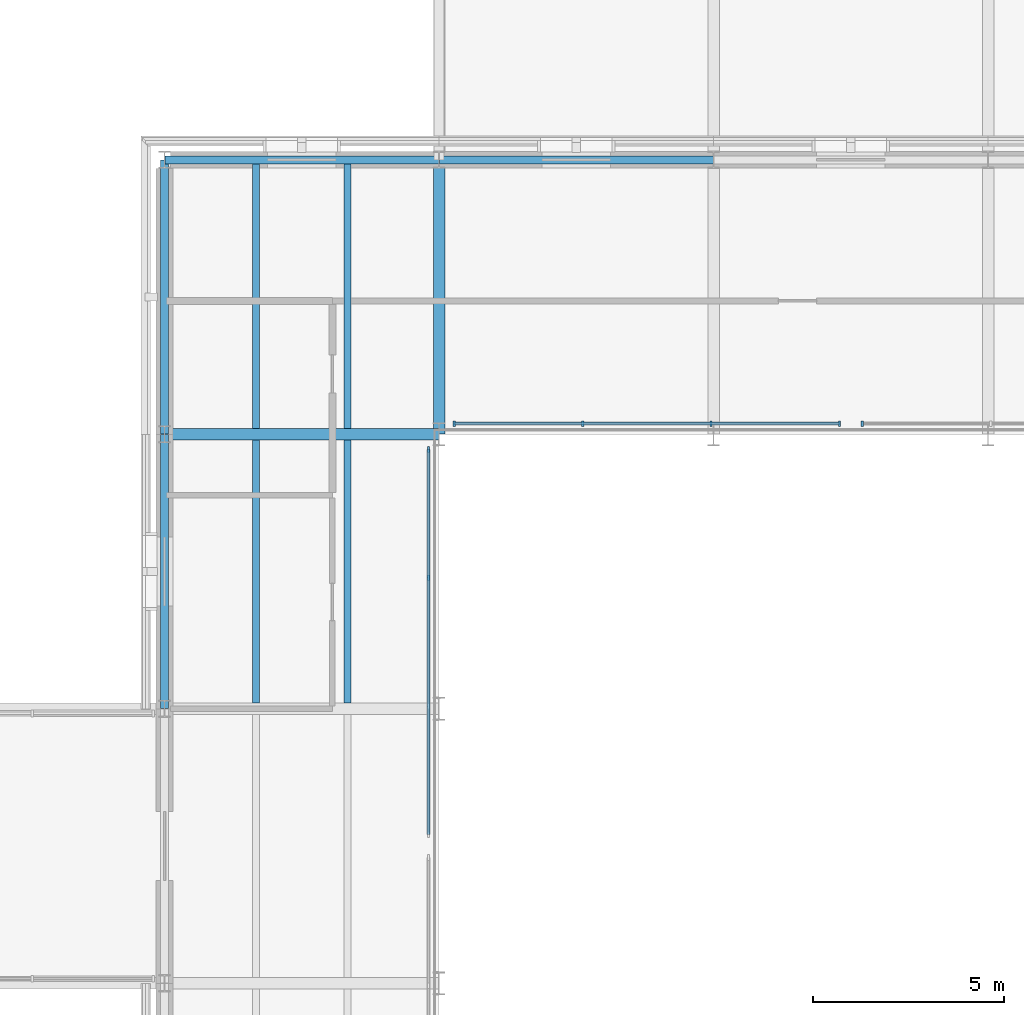
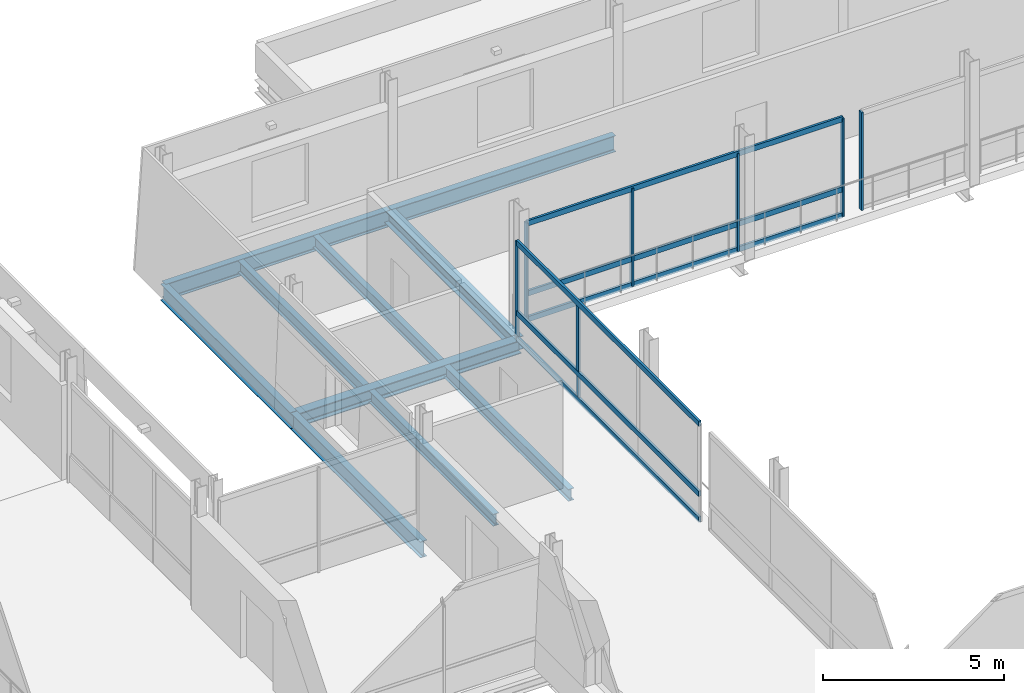
# One storey, part 30 of 115: 13 members, 10 beams, 3 elements without a shape of their own.
"""IFC4 building model written with IfcOpenShell, lengths in metres."""

from ifc_helpers import new_model, si_unit, direction, frame, origin, origin_2d, place, context, subcontext, project, spatial, rectangle, i_section, extrude, material, layer, layer_set, material_profile, profile_set, type_object, element, aggregate, save


model = new_model("IFC4")

# Units and contexts
model_context = context("Model", 3, precision=1e-05, world=origin(), true_north=direction((0.0, 1.0)))
body_context = subcontext(model_context, "Body", "Model", "MODEL_VIEW")
ifc_project = project(units=[si_unit("LENGTHUNIT", "METRE"), si_unit("AREAUNIT", "SQUARE_METRE"), si_unit("VOLUMEUNIT", "CUBIC_METRE"), si_unit("PLANEANGLEUNIT", "RADIAN"), si_unit("MASSUNIT", "GRAM", prefix="KILO")], contexts=[model_context])

# Site, building, storey
site_placement = place(None, origin())
site = spatial("IfcSite", under=ifc_project, at=site_placement, CompositionType="ELEMENT")
building_placement = place(site_placement, origin())
building = spatial("IfcBuilding", under=site, at=building_placement, Name="Narikvali Park Central Library", CompositionType="ELEMENT")
storey_placement = place(building_placement, frame((0.0, 0.0, 10.199951171875)))
storey = spatial("IfcBuildingStorey", under=building, at=storey_placement, Name="L02", CompositionType="ELEMENT", Elevation=10.199951171875)

# Beam
ifc_material_1 = material(Name="Steel S355", Category="steel")
ifc_material_profile_1 = material_profile(ifc_material_1, i_section(OverallWidth=0.300048828125, OverallDepth=0.449951171875, WebThickness=0.013916015625, FlangeThickness=0.02587890625, FilletRadius=0.027099609375, at=origin_2d()), Name="HEB 450")
ifc_profile_set_1 = profile_set([ifc_material_profile_1], Name="Steel S355")
beam_type_1 = type_object("IfcBeamType", Name="Atrium Edge Girder HEB450", PredefinedType="BEAM", material=ifc_profile_set_1)
beam_1_placement = place(storey_placement, frame((64.80810546875, 86.39990234375, -0.5048828125), z_axis=(1.0, 0.0, 0.0), x_axis=(0.0, 1.0, 0.0)))
element("IfcBeam", 1, at=beam_1_placement, inside=storey, type_object=beam_type_1, Name="V1 L02 Girder X", PredefinedType="BEAM", context=body_context, shape_type="SweptSolid", body=[
    extrude(i_section(OverallWidth=0.300048828125, OverallDepth=0.449951171875, WebThickness=0.013916015625, FlangeThickness=0.02587890625, FilletRadius=0.027099609375, at=origin_2d()), origin(), (0.0, 0.0, 1.0), 7.183837890625),
])

# Curtain wall, members
ifc_material_2 = material(Name="Anodised Bronze Aluminium", Category="aluminium")
ifc_layer = layer(ifc_material_2, 0.219970703125, Name="Anodised Bronze Aluminium")
ifc_layer_set = layer_set([ifc_layer], Name="Anodised Bronze Aluminium")
curtain_wall_type = type_object("IfcCurtainWallType", Name="Atrium Tall Curtain Wall System", PredefinedType="NOTDEFINED", material=ifc_layer_set)
curtain_wall_1_placement = place(storey_placement, origin())
curtain_wall_1 = element("IfcCurtainWall", 2, at=curtain_wall_1_placement, inside=storey, type_object=curtain_wall_type, Name="Atrium Tall Curtain Wall System CW-INT-V1-L02-W2", PredefinedType="NOTDEFINED")
ifc_material_profile_2 = material_profile(ifc_material_2, rectangle(XDim=0.074951171875, YDim=0.179931640625, at=origin_2d()), Name="CW TRANSOM 75x180")
ifc_profile_set_2 = profile_set([ifc_material_profile_2], Name="Anodised Bronze Aluminium")
member_type_1 = type_object("IfcMemberType", Name="Curtain Wall Heavy Transom 75x180", PredefinedType="USERDEFINED", material=ifc_profile_set_2)
member_1_placement = place(storey_placement, frame((71.719970703125, 75.89990234375, 0.030029296875), z_axis=(0.0, 1.0, 0.0), x_axis=(-1.0, 0.0, 0.0)))
member_1 = element("IfcMember", 3, at=member_1_placement, type_object=member_type_1, Name="CW-INT-V1-L02-W2 Transom 00", ObjectType="TRANSOM", PredefinedType="USERDEFINED", context=body_context, shape_type="SweptSolid", body=[
    extrude(rectangle(XDim=0.074951171875, YDim=0.179931640625, at=origin_2d()), origin(), (0.0, 0.0, 1.0), 10.10009765625),
])
member_2_placement = place(storey_placement, frame((71.719970703125, 75.89990234375, 0.900146484375), z_axis=(0.0, 1.0, 0.0), x_axis=(-1.0, 0.0, 0.0)))
member_2 = element("IfcMember", 4, at=member_2_placement, type_object=member_type_1, Name="CW-INT-V1-L02-W2 Transom 01", ObjectType="TRANSOM", PredefinedType="USERDEFINED", context=body_context, shape_type="SweptSolid", body=[
    extrude(rectangle(XDim=0.074951171875, YDim=0.179931640625, at=origin_2d()), origin(), (0.0, 0.0, 1.0), 10.10009765625),
])
member_3_placement = place(storey_placement, frame((71.719970703125, 75.89990234375, 3.27001953125), z_axis=(0.0, 1.0, 0.0), x_axis=(-1.0, 0.0, 0.0)))
member_3 = element("IfcMember", 5, at=member_3_placement, type_object=member_type_1, Name="CW-INT-V1-L02-W2 Transom 02", ObjectType="TRANSOM", PredefinedType="USERDEFINED", context=body_context, shape_type="SweptSolid", body=[
    extrude(rectangle(XDim=0.074951171875, YDim=0.179931640625, at=origin_2d()), origin(), (0.0, 0.0, 1.0), 10.10009765625),
])

curtain_wall_2_placement = place(storey_placement, origin())
curtain_wall_2 = element("IfcCurtainWall", 6, at=curtain_wall_2_placement, inside=storey, type_object=curtain_wall_type, Name="Atrium Tall Curtain Wall System CW-INT-V1-L02-N1", PredefinedType="NOTDEFINED")
member_4_placement = place(storey_placement, frame((72.39990234375, 86.679931640625, 0.030029296875), z_axis=(1.0, 0.0, 0.0), x_axis=(0.0, 1.0, 0.0)))
member_4 = element("IfcMember", 7, at=member_4_placement, type_object=member_type_1, Name="CW-INT-V1-L02-N1 Transom 00", ObjectType="TRANSOM", PredefinedType="USERDEFINED", context=body_context, shape_type="SweptSolid", body=[
    extrude(rectangle(XDim=0.074951171875, YDim=0.179931640625, at=origin_2d()), origin(), (0.0, 0.0, 1.0), 10.10009765625),
])
member_5_placement = place(storey_placement, frame((72.39990234375, 86.679931640625, 0.900146484375), z_axis=(1.0, 0.0, 0.0), x_axis=(0.0, 1.0, 0.0)))
member_5 = element("IfcMember", 8, at=member_5_placement, type_object=member_type_1, Name="CW-INT-V1-L02-N1 Transom 01", ObjectType="TRANSOM", PredefinedType="USERDEFINED", context=body_context, shape_type="SweptSolid", body=[
    extrude(rectangle(XDim=0.074951171875, YDim=0.179931640625, at=origin_2d()), origin(), (0.0, 0.0, 1.0), 10.10009765625),
])
member_6_placement = place(storey_placement, frame((72.39990234375, 86.679931640625, 3.27001953125), z_axis=(1.0, 0.0, 0.0), x_axis=(0.0, 1.0, 0.0)))
member_6 = element("IfcMember", 9, at=member_6_placement, type_object=member_type_1, Name="CW-INT-V1-L02-N1 Transom 02", ObjectType="TRANSOM", PredefinedType="USERDEFINED", context=body_context, shape_type="SweptSolid", body=[
    extrude(rectangle(XDim=0.074951171875, YDim=0.179931640625, at=origin_2d()), origin(), (0.0, 0.0, 1.0), 10.10009765625),
])

# Member
ifc_material_profile_3 = material_profile(ifc_material_2, rectangle(XDim=0.06005859375, YDim=0.14990234375, at=origin_2d()), Name="CW MULLION 60x150")
ifc_profile_set_3 = profile_set([ifc_material_profile_3], Name="Anodised Bronze Aluminium")
member_type_2 = type_object("IfcMemberType", Name="Curtain Wall Mullion 60x150", PredefinedType="MULLION", material=ifc_profile_set_3)
member_7_placement = place(storey_placement, frame((71.719970703125, 82.63330078125, -0.010009765625), z_axis=(0.0, 0.0, 1.0), x_axis=(1.0, 0.0, 0.0)))
member_7 = element("IfcMember", 10, at=member_7_placement, type_object=member_type_2, Name="CW-INT-V1-L02-W2 Mullion 02", PredefinedType="MULLION", context=body_context, shape_type="SweptSolid", body=[
    extrude(rectangle(XDim=0.06005859375, YDim=0.14990234375, at=origin_2d()), origin(), (0.0, 0.0, 1.0), 3.31005859375),
])

member_8_placement = place(storey_placement, frame((71.719970703125, 86.0, -0.010009765625), z_axis=(0.0, 0.0, 1.0), x_axis=(1.0, 0.0, 0.0)))
member_8 = element("IfcMember", 11, at=member_8_placement, type_object=member_type_2, Name="CW-INT-V1-L02-W2 Mullion 03", PredefinedType="MULLION", context=body_context, shape_type="SweptSolid", body=[
    extrude(rectangle(XDim=0.06005859375, YDim=0.14990234375, at=origin_2d()), origin(), (0.0, 0.0, 1.0), 3.31005859375),
])

aggregate(curtain_wall_1, [member_7, member_8, member_1, member_2, member_3])

member_9_placement = place(storey_placement, frame((72.39990234375, 86.679931640625, -0.010009765625), z_axis=(0.0, 0.0, 1.0), x_axis=(1.0, 0.0, 0.0)))
member_9 = element("IfcMember", 12, at=member_9_placement, type_object=member_type_2, Name="CW-INT-V1-L02-N1 Mullion 00", PredefinedType="MULLION", context=body_context, shape_type="SweptSolid", body=[
    extrude(rectangle(XDim=0.06005859375, YDim=0.14990234375, at=origin_2d()), origin(), (0.0, 0.0, 1.0), 3.31005859375),
])

member_10_placement = place(storey_placement, frame((75.7666015625, 86.679931640625, -0.010009765625), z_axis=(0.0, 0.0, 1.0), x_axis=(1.0, 0.0, 0.0)))
member_10 = element("IfcMember", 13, at=member_10_placement, type_object=member_type_2, Name="CW-INT-V1-L02-N1 Mullion 01", PredefinedType="MULLION", context=body_context, shape_type="SweptSolid", body=[
    extrude(rectangle(XDim=0.06005859375, YDim=0.14990234375, at=origin_2d()), origin(), (0.0, 0.0, 1.0), 3.31005859375),
])

member_11_placement = place(storey_placement, frame((79.13330078125, 86.679931640625, -0.010009765625), z_axis=(0.0, 0.0, 1.0), x_axis=(1.0, 0.0, 0.0)))
member_11 = element("IfcMember", 14, at=member_11_placement, type_object=member_type_2, Name="CW-INT-V1-L02-N1 Mullion 02", PredefinedType="MULLION", context=body_context, shape_type="SweptSolid", body=[
    extrude(rectangle(XDim=0.06005859375, YDim=0.14990234375, at=origin_2d()), origin(), (0.0, 0.0, 1.0), 3.31005859375),
])

member_12_placement = place(storey_placement, frame((82.5, 86.679931640625, -0.010009765625), z_axis=(0.0, 0.0, 1.0), x_axis=(1.0, 0.0, 0.0)))
member_12 = element("IfcMember", 15, at=member_12_placement, type_object=member_type_2, Name="CW-INT-V1-L02-N1 Mullion 03", PredefinedType="MULLION", context=body_context, shape_type="SweptSolid", body=[
    extrude(rectangle(XDim=0.06005859375, YDim=0.14990234375, at=origin_2d()), origin(), (0.0, 0.0, 1.0), 3.31005859375),
])

aggregate(curtain_wall_2, [member_9, member_10, member_11, member_12, member_4, member_5, member_6])

# Curtain wall, member
curtain_wall_3_placement = place(storey_placement, origin())
curtain_wall_3 = element("IfcCurtainWall", 16, at=curtain_wall_3_placement, inside=storey, type_object=curtain_wall_type, Name="Atrium Tall Curtain Wall System CW-INT-V1-L02-N2", PredefinedType="NOTDEFINED")
member_13_placement = place(storey_placement, frame((83.10009765625, 86.679931640625, -0.010009765625), z_axis=(0.0, 0.0, 1.0), x_axis=(1.0, 0.0, 0.0)))
member_13 = element("IfcMember", 17, at=member_13_placement, type_object=member_type_2, Name="CW-INT-V1-L02-N2 Mullion 00", PredefinedType="MULLION", context=body_context, shape_type="SweptSolid", body=[
    extrude(rectangle(XDim=0.06005859375, YDim=0.14990234375, at=origin_2d()), origin(), (0.0, 0.0, 1.0), 3.31005859375),
])
aggregate(curtain_wall_3, [member_13])

# Beams
ifc_material_profile_4 = material_profile(ifc_material_1, i_section(OverallWidth=0.181884765625, OverallDepth=0.404052734375, WebThickness=0.009765625, FlangeThickness=0.015380859375, FilletRadius=0.02099609375, at=origin_2d()), Name="IPEO 400")
ifc_profile_set_4 = profile_set([ifc_material_profile_4], Name="Steel S355")
beam_type_2 = type_object("IfcBeamType", Name="Gallery Floor Joist IPEO400", PredefinedType="JOIST", material=ifc_profile_set_4)
for number, where, z_axis, x_axis, name in (
    (18, (67.199951171875, 79.35009765625, -0.48193359375), (0.0, 1.0, 0.0), (-1.0, 0.0, 0.0), "V1 L02 Composite Joist 1"),
    (19, (69.60009765625, 79.35009765625, -0.48193359375), (0.0, 1.0, 0.0), (-1.0, 0.0, 0.0), "V1 L02 Composite Joist 2"),
):
    element("IfcBeam", number, at=place(storey_placement, frame(where, z_axis=z_axis, x_axis=x_axis)), inside=storey, type_object=beam_type_2, Name=name, PredefinedType="JOIST", context=body_context, shape_type="SweptSolid", body=[
        extrude(i_section(OverallWidth=0.181884765625, OverallDepth=0.404052734375, WebThickness=0.009765625, FlangeThickness=0.015380859375, FilletRadius=0.02099609375, at=origin_2d()), origin(), (0.0, 0.0, 1.0), 6.89990234375),
    ])
for number, where, z_axis, x_axis, name in (
    (20, (67.199951171875, 86.550048828125, -0.48193359375), (0.0, 1.0, 0.0), (-1.0, 0.0, 0.0), "V1 L02 Composite Joist 1"),
    (21, (69.60009765625, 86.550048828125, -0.48193359375), (0.0, 1.0, 0.0), (-1.0, 0.0, 0.0), "V1 L02 Composite Joist 2"),
):
    element("IfcBeam", number, at=place(storey_placement, frame(where, z_axis=z_axis, x_axis=x_axis)), inside=storey, type_object=beam_type_2, Name=name, PredefinedType="JOIST", context=body_context, shape_type="SweptSolid", body=[
        extrude(i_section(OverallWidth=0.181884765625, OverallDepth=0.404052734375, WebThickness=0.009765625, FlangeThickness=0.015380859375, FilletRadius=0.02099609375, at=origin_2d()), origin(), (0.0, 0.0, 1.0), 6.945068359375),
    ])
ifc_material_profile_5 = material_profile(ifc_material_1, i_section(OverallWidth=0.2099609375, OverallDepth=0.550048828125, WebThickness=0.010986328125, FlangeThickness=0.01708984375, FilletRadius=0.02392578125, at=origin_2d()), Name="IPE 550")
ifc_profile_set_5 = profile_set([ifc_material_profile_5], Name="Steel S355")
beam_type_3 = type_object("IfcBeamType", Name="Perimeter Spandrel IPE550", PredefinedType="SPANDREL", material=ifc_profile_set_5)
for number, where, z_axis, x_axis, name in (
    (22, (64.80810546875, 93.60009765625, -0.554931640625), (1.0, 0.0, 0.0), (0.0, 1.0, 0.0), "V1 L02 Girder X"),
    (23, (72.008056640625, 93.60009765625, -0.554931640625), (1.0, 0.0, 0.0), (0.0, 1.0, 0.0), "V1 L02 Girder X"),
):
    element("IfcBeam", number, at=place(storey_placement, frame(where, z_axis=z_axis, x_axis=x_axis)), inside=storey, type_object=beam_type_3, Name=name, PredefinedType="SPANDREL", context=body_context, shape_type="SweptSolid", body=[
        extrude(i_section(OverallWidth=0.2099609375, OverallDepth=0.550048828125, WebThickness=0.010986328125, FlangeThickness=0.01708984375, FilletRadius=0.02392578125, at=origin_2d()), origin(), (0.0, 0.0, 1.0), 7.183837890625),
    ])
for number, where, z_axis, x_axis, name in (
    (24, (64.800048828125, 79.2080078125, -0.554931640625), (0.0, 1.0, 0.0), (-1.0, 0.0, 0.0), "V1 L02 Girder Y"),
    (25, (64.800048828125, 86.407958984375, -0.554931640625), (0.0, 1.0, 0.0), (-1.0, 0.0, 0.0), "V1 L02 Girder Y"),
):
    element("IfcBeam", number, at=place(storey_placement, frame(where, z_axis=z_axis, x_axis=x_axis)), inside=storey, type_object=beam_type_3, Name=name, PredefinedType="SPANDREL", context=body_context, shape_type="SweptSolid", body=[
        extrude(i_section(OverallWidth=0.2099609375, OverallDepth=0.550048828125, WebThickness=0.010986328125, FlangeThickness=0.01708984375, FilletRadius=0.02392578125, at=origin_2d()), origin(), (0.0, 0.0, 1.0), 7.18408203125),
    ])
ifc_material_profile_6 = material_profile(ifc_material_1, i_section(OverallWidth=0.300048828125, OverallDepth=0.43994140625, WebThickness=0.011474609375, FlangeThickness=0.02099609375, FilletRadius=0.027099609375, at=origin_2d()), Name="HEA 450")
ifc_profile_set_6 = profile_set([ifc_material_profile_6], Name="Steel S355")
beam_type_4 = type_object("IfcBeamType", Name="Primary Girder HEA450", PredefinedType="BEAM", material=ifc_profile_set_6)
beam_2_placement = place(storey_placement, frame((72.0, 86.407958984375, -0.5), z_axis=(0.0, 1.0, 0.0), x_axis=(-1.0, 0.0, 0.0)))
element("IfcBeam", 26, at=beam_2_placement, inside=storey, type_object=beam_type_4, Name="V1 L02 Girder Y", PredefinedType="BEAM", context=body_context, shape_type="SweptSolid", body=[
    extrude(i_section(OverallWidth=0.300048828125, OverallDepth=0.43994140625, WebThickness=0.011474609375, FlangeThickness=0.02099609375, FilletRadius=0.027099609375, at=origin_2d()), origin(), (0.0, 0.0, 1.0), 7.18408203125),
])

save(model, "model.ifc")
